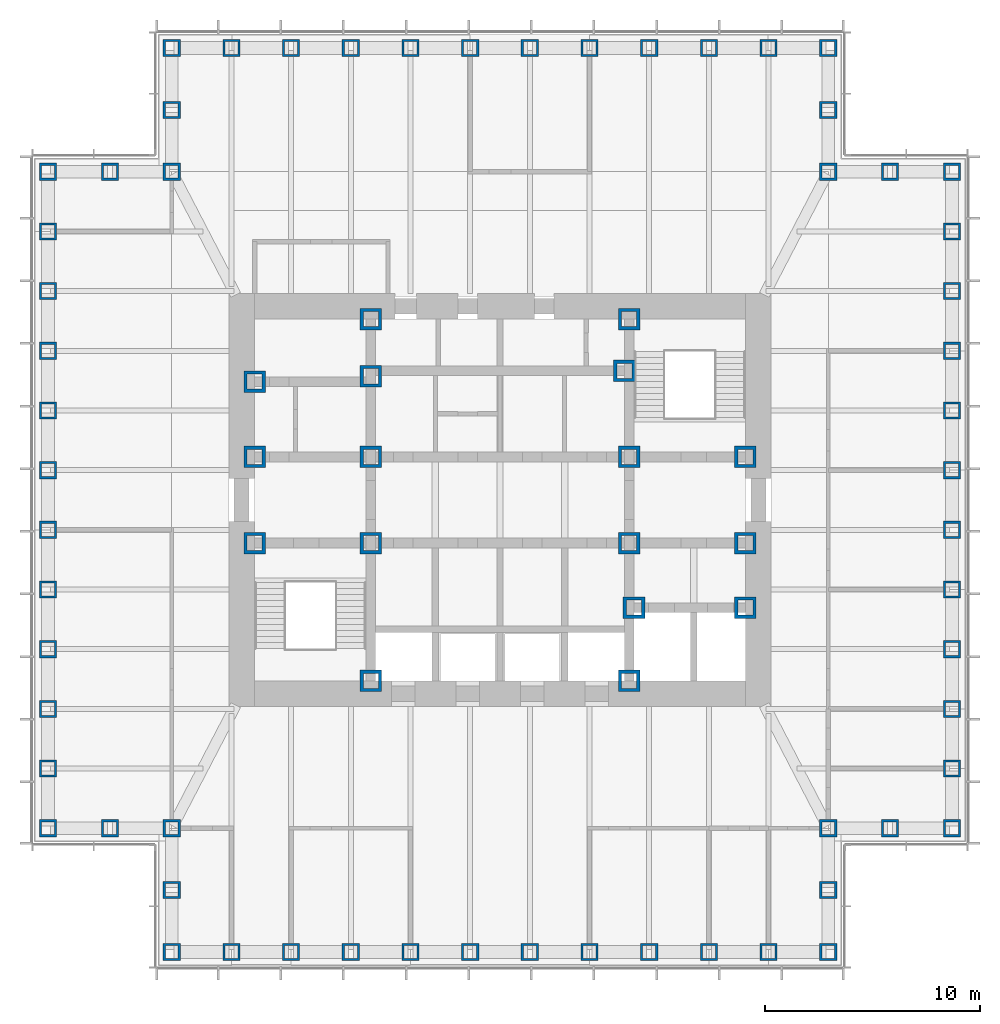
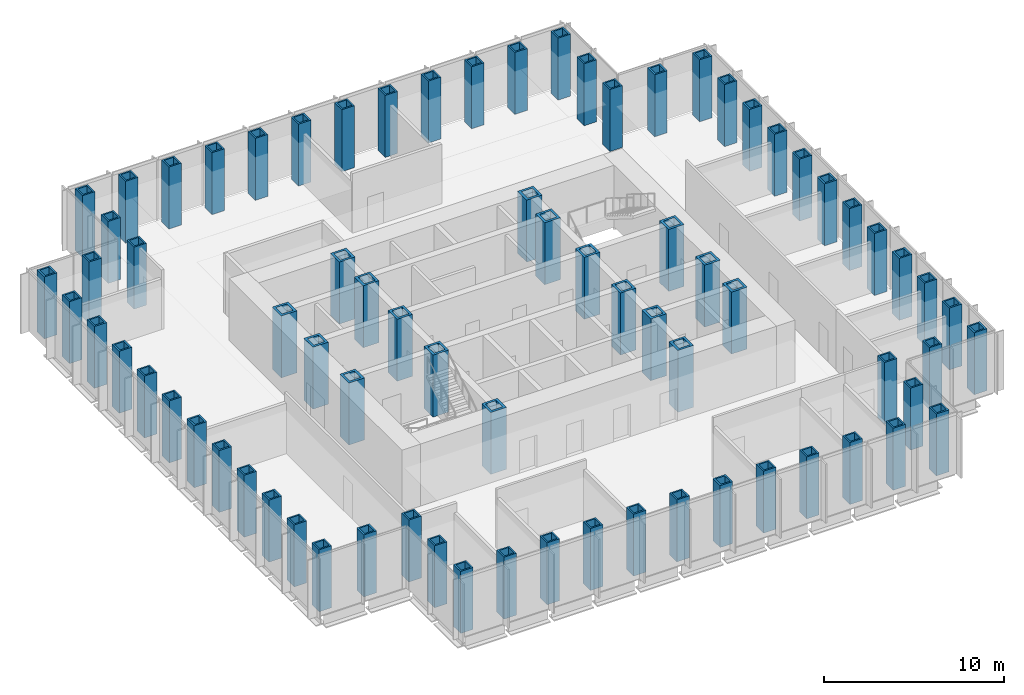
# One storey, part 1 of 16: 77 columns.
"""IFC4 building model written with IfcOpenShell, lengths in metres."""

from ifc_helpers import new_model, si_unit, direction, frame, origin, origin_2d, place, context, subcontext, project, spatial, hollow_rectangle, extrude, material, material_profile, profile_set, type_object, element, save


model = new_model("IFC4")

# Units and contexts
model_context = context("Model", 3, precision=1e-05, world=origin(), true_north=direction((0.0, 1.0)))
body_context = subcontext(model_context, "Body", "Model", "MODEL_VIEW")
ifc_project = project(units=[si_unit("LENGTHUNIT", "METRE"), si_unit("AREAUNIT", "SQUARE_METRE"), si_unit("VOLUMEUNIT", "CUBIC_METRE"), si_unit("PLANEANGLEUNIT", "RADIAN"), si_unit("MASSUNIT", "GRAM", prefix="KILO")], contexts=[model_context])

# Site, building, storey
site_placement = place(None, origin())
site = spatial("IfcSite", under=ifc_project, at=site_placement, CompositionType="ELEMENT")
building_placement = place(site_placement, origin())
building = spatial("IfcBuilding", under=site, at=building_placement, Name="Daluyong Arena Tower", CompositionType="ELEMENT")
storey_placement = place(building_placement, frame((0.0, 0.0, 271.300048828125)))
storey = spatial("IfcBuildingStorey", under=building, at=storey_placement, Name="L61", CompositionType="ELEMENT", Elevation=271.300048828125)

# Columns
ifc_material_1 = material(Name="Steel ASTM A588 Grade 50", Category="steel")
ifc_material_profile_1 = material_profile(ifc_material_1, hollow_rectangle(XDim=1.0, YDim=1.0, WallThickness=0.15, at=origin_2d()))
ifc_profile_set_1 = profile_set([ifc_material_profile_1], Name="Steel ASTM A588 Grade 50")
column_type_1 = type_object("IfcColumnType", Name="Core boundary column BX1000X150", PredefinedType="COLUMN", material=ifc_profile_set_1)
for number, where, z_axis, x_axis, name in (
    (1, (44.60009765625, 78.0, 0.0), (0.0, 0.0, 1.0), (1.0, 0.0, 0.0), "core boundary column BC1"),
    (2, (44.60009765625, 82.0, 0.0), (0.0, 0.0, 1.0), (1.0, 0.0, 0.0), "core boundary column BC1"),
    (3, (44.60009765625, 85.5, 0.0), (0.0, 0.0, 1.0), (1.0, 0.0, 0.0), "core boundary column BC1"),
    (4, (50.0, 71.60009765625, 0.0), (0.0, 0.0, 1.0), (1.0, 0.0, 0.0), "core boundary column BC1"),
    (5, (50.0, 78.0, 0.0), (0.0, 0.0, 1.0), (1.0, 0.0, 0.0), "core boundary column BC1"),
    (6, (50.0, 82.0, 0.0), (0.0, 0.0, 1.0), (1.0, 0.0, 0.0), "core boundary column BC1"),
    (7, (50.0, 85.75, 0.0), (0.0, 0.0, 1.0), (1.0, 0.0, 0.0), "core boundary column BC1"),
    (8, (50.0, 88.39990234375, 0.0), (0.0, 0.0, 1.0), (1.0, 0.0, 0.0), "core boundary column BC1"),
    (9, (61.77490234375, 86.0, 0.0), (0.0, 0.0, 1.0), (1.0, 0.0, 0.0), "core boundary column BC1"),
    (10, (62.0, 71.60009765625, 0.0), (0.0, 0.0, 1.0), (1.0, 0.0, 0.0), "core boundary column BC1"),
    (11, (62.0, 78.0, 0.0), (0.0, 0.0, 1.0), (1.0, 0.0, 0.0), "core boundary column BC1"),
    (12, (62.0, 82.0, 0.0), (0.0, 0.0, 1.0), (1.0, 0.0, 0.0), "core boundary column BC1"),
    (13, (62.0, 88.39990234375, 0.0), (0.0, 0.0, 1.0), (1.0, 0.0, 0.0), "core boundary column BC1"),
    (14, (62.22509765625, 75.0, 0.0), (0.0, 0.0, 1.0), (1.0, 0.0, 0.0), "core boundary column BC1"),
    (15, (67.39990234375, 75.0, 0.0), (0.0, 0.0, 1.0), (1.0, 0.0, 0.0), "core boundary column BC1"),
    (16, (67.39990234375, 78.0, 0.0), (0.0, 0.0, 1.0), (1.0, 0.0, 0.0), "core boundary column BC1"),
    (17, (67.39990234375, 82.0, 0.0), (0.0, 0.0, 1.0), (1.0, 0.0, 0.0), "core boundary column BC1"),
):
    element("IfcColumn", number, at=place(storey_placement, frame(where, z_axis=z_axis, x_axis=x_axis)), inside=storey, type_object=column_type_1, Name=name, PredefinedType="COLUMN", context=body_context, shape_type="SweptSolid", body=[
        extrude(hollow_rectangle(XDim=1.0, YDim=1.0, WallThickness=0.15, at=origin_2d()), origin(), (0.0, 0.0, 1.0), 4.199951171875),
    ])
ifc_material_2 = material(Name="Steel ASTM A572 Grade 50", Category="steel")
ifc_material_profile_2 = material_profile(ifc_material_2, hollow_rectangle(XDim=0.800048828125, YDim=0.800048828125, WallThickness=0.1, at=origin_2d()))
ifc_profile_set_2 = profile_set([ifc_material_profile_2], Name="Steel ASTM A572 Grade 50")
column_type_2 = type_object("IfcColumnType", Name="Tube column BX800X100 BX800X100", PredefinedType="COLUMN", material=ifc_profile_set_2)
for number, where, z_axis, x_axis, name in (
    (18, (40.75, 59.0, 0.0), (0.0, 0.0, 1.0), (1.0, 0.0, 0.0), "tube column bx800x100 TC8"),
    (19, (43.522705078125, 59.0, 0.0), (0.0, 0.0, 1.0), (1.0, 0.0, 0.0), "tube column bx800x100 TC8"),
    (20, (46.29541015625, 59.0, 0.0), (0.0, 0.0, 1.0), (1.0, 0.0, 0.0), "tube column bx800x100 TC8"),
    (21, (49.068115234375, 59.0, 0.0), (0.0, 0.0, 1.0), (1.0, 0.0, 0.0), "tube column bx800x100 TC8"),
    (22, (51.8408203125, 59.0, 0.0), (0.0, 0.0, 1.0), (1.0, 0.0, 0.0), "tube column bx800x100 TC8"),
    (23, (54.613525390625, 59.0, 0.0), (0.0, 0.0, 1.0), (1.0, 0.0, 0.0), "tube column bx800x100 TC8"),
    (24, (57.386474609375, 59.0, 0.0), (0.0, 0.0, 1.0), (1.0, 0.0, 0.0), "tube column bx800x100 TC8"),
    (25, (60.1591796875, 59.0, 0.0), (0.0, 0.0, 1.0), (1.0, 0.0, 0.0), "tube column bx800x100 TC8"),
    (26, (62.931884765625, 59.0, 0.0), (0.0, 0.0, 1.0), (1.0, 0.0, 0.0), "tube column bx800x100 TC8"),
    (27, (65.70458984375, 59.0, 0.0), (0.0, 0.0, 1.0), (1.0, 0.0, 0.0), "tube column bx800x100 TC8"),
    (28, (68.477294921875, 59.0, 0.0), (0.0, 0.0, 1.0), (1.0, 0.0, 0.0), "tube column bx800x100 TC8"),
    (29, (71.25, 59.0, 0.0), (0.0, 0.0, 1.0), (0.0, 1.0, 0.0), "tube column bx800x100 TC8"),
    (30, (71.25, 61.875, 0.0), (0.0, 0.0, 1.0), (0.0, 1.0, 0.0), "tube column bx800x100 TC8"),
    (31, (71.25, 64.75, 0.0), (0.0, 0.0, 1.0), (1.0, 0.0, 0.0), "tube column bx800x100 TC8"),
    (32, (74.125, 64.75, 0.0), (0.0, 0.0, 1.0), (1.0, 0.0, 0.0), "tube column bx800x100 TC8"),
    (33, (77.0, 64.75, 0.0), (0.0, 0.0, 1.0), (0.0, 1.0, 0.0), "tube column bx800x100 TC8"),
    (34, (77.0, 67.522705078125, 0.0), (0.0, 0.0, 1.0), (0.0, 1.0, 0.0), "tube column bx800x100 TC8"),
    (35, (77.0, 70.29541015625, 0.0), (0.0, 0.0, 1.0), (0.0, 1.0, 0.0), "tube column bx800x100 TC8"),
    (36, (77.0, 73.068115234375, 0.0), (0.0, 0.0, 1.0), (0.0, 1.0, 0.0), "tube column bx800x100 TC8"),
    (37, (77.0, 75.8408203125, 0.0), (0.0, 0.0, 1.0), (0.0, 1.0, 0.0), "tube column bx800x100 TC8"),
    (38, (77.0, 78.613525390625, 0.0), (0.0, 0.0, 1.0), (0.0, 1.0, 0.0), "tube column bx800x100 TC8"),
    (39, (77.0, 81.386474609375, 0.0), (0.0, 0.0, 1.0), (0.0, 1.0, 0.0), "tube column bx800x100 TC8"),
    (40, (77.0, 84.1591796875, 0.0), (0.0, 0.0, 1.0), (0.0, 1.0, 0.0), "tube column bx800x100 TC8"),
    (41, (77.0, 86.931884765625, 0.0), (0.0, 0.0, 1.0), (0.0, 1.0, 0.0), "tube column bx800x100 TC8"),
    (42, (77.0, 89.70458984375, 0.0), (0.0, 0.0, 1.0), (0.0, 1.0, 0.0), "tube column bx800x100 TC8"),
    (43, (77.0, 92.477294921875, 0.0), (0.0, 0.0, 1.0), (0.0, 1.0, 0.0), "tube column bx800x100 TC8"),
    (44, (77.0, 95.25, 0.0), (0.0, 0.0, 1.0), (1.0, 0.0, 0.0), "tube column bx800x100 TC8"),
    (45, (74.125, 95.25, 0.0), (0.0, 0.0, 1.0), (1.0, 0.0, 0.0), "tube column bx800x100 TC8"),
    (46, (71.25, 95.25, 0.0), (0.0, 0.0, 1.0), (0.0, 1.0, 0.0), "tube column bx800x100 TC8"),
    (47, (71.25, 98.125, 0.0), (0.0, 0.0, 1.0), (0.0, 1.0, 0.0), "tube column bx800x100 TC8"),
    (48, (71.25, 101.0, 0.0), (0.0, 0.0, 1.0), (1.0, 0.0, 0.0), "tube column bx800x100 TC8"),
    (49, (68.477294921875, 101.0, 0.0), (0.0, 0.0, 1.0), (1.0, 0.0, 0.0), "tube column bx800x100 TC8"),
    (50, (65.70458984375, 101.0, 0.0), (0.0, 0.0, 1.0), (1.0, 0.0, 0.0), "tube column bx800x100 TC8"),
    (51, (62.931884765625, 101.0, 0.0), (0.0, 0.0, 1.0), (1.0, 0.0, 0.0), "tube column bx800x100 TC8"),
    (52, (60.1591796875, 101.0, 0.0), (0.0, 0.0, 1.0), (1.0, 0.0, 0.0), "tube column bx800x100 TC8"),
    (53, (57.386474609375, 101.0, 0.0), (0.0, 0.0, 1.0), (1.0, 0.0, 0.0), "tube column bx800x100 TC8"),
    (54, (54.613525390625, 101.0, 0.0), (0.0, 0.0, 1.0), (1.0, 0.0, 0.0), "tube column bx800x100 TC8"),
    (55, (51.8408203125, 101.0, 0.0), (0.0, 0.0, 1.0), (1.0, 0.0, 0.0), "tube column bx800x100 TC8"),
    (56, (49.068115234375, 101.0, 0.0), (0.0, 0.0, 1.0), (1.0, 0.0, 0.0), "tube column bx800x100 TC8"),
    (57, (46.29541015625, 101.0, 0.0), (0.0, 0.0, 1.0), (1.0, 0.0, 0.0), "tube column bx800x100 TC8"),
    (58, (43.522705078125, 101.0, 0.0), (0.0, 0.0, 1.0), (1.0, 0.0, 0.0), "tube column bx800x100 TC8"),
    (59, (40.75, 101.0, 0.0), (0.0, 0.0, 1.0), (0.0, 1.0, 0.0), "tube column bx800x100 TC8"),
    (60, (40.75, 98.125, 0.0), (0.0, 0.0, 1.0), (0.0, 1.0, 0.0), "tube column bx800x100 TC8"),
    (61, (40.75, 95.25, 0.0), (0.0, 0.0, 1.0), (1.0, 0.0, 0.0), "tube column bx800x100 TC8"),
    (62, (37.875, 95.25, 0.0), (0.0, 0.0, 1.0), (1.0, 0.0, 0.0), "tube column bx800x100 TC8"),
    (63, (35.0, 95.25, 0.0), (0.0, 0.0, 1.0), (0.0, 1.0, 0.0), "tube column bx800x100 TC8"),
    (64, (35.0, 92.477294921875, 0.0), (0.0, 0.0, 1.0), (0.0, 1.0, 0.0), "tube column bx800x100 TC8"),
    (65, (35.0, 89.70458984375, 0.0), (0.0, 0.0, 1.0), (0.0, 1.0, 0.0), "tube column bx800x100 TC8"),
    (66, (35.0, 86.931884765625, 0.0), (0.0, 0.0, 1.0), (0.0, 1.0, 0.0), "tube column bx800x100 TC8"),
    (67, (35.0, 84.1591796875, 0.0), (0.0, 0.0, 1.0), (0.0, 1.0, 0.0), "tube column bx800x100 TC8"),
    (68, (35.0, 81.386474609375, 0.0), (0.0, 0.0, 1.0), (0.0, 1.0, 0.0), "tube column bx800x100 TC8"),
    (69, (35.0, 78.613525390625, 0.0), (0.0, 0.0, 1.0), (0.0, 1.0, 0.0), "tube column bx800x100 TC8"),
    (70, (35.0, 75.8408203125, 0.0), (0.0, 0.0, 1.0), (0.0, 1.0, 0.0), "tube column bx800x100 TC8"),
    (71, (35.0, 73.068115234375, 0.0), (0.0, 0.0, 1.0), (0.0, 1.0, 0.0), "tube column bx800x100 TC8"),
    (72, (35.0, 70.29541015625, 0.0), (0.0, 0.0, 1.0), (0.0, 1.0, 0.0), "tube column bx800x100 TC8"),
    (73, (35.0, 67.522705078125, 0.0), (0.0, 0.0, 1.0), (0.0, 1.0, 0.0), "tube column bx800x100 TC8"),
    (74, (35.0, 64.75, 0.0), (0.0, 0.0, 1.0), (1.0, 0.0, 0.0), "tube column bx800x100 TC8"),
    (75, (37.875, 64.75, 0.0), (0.0, 0.0, 1.0), (1.0, 0.0, 0.0), "tube column bx800x100 TC8"),
    (76, (40.75, 64.75, 0.0), (0.0, 0.0, 1.0), (0.0, 1.0, 0.0), "tube column bx800x100 TC8"),
    (77, (40.75, 61.875, 0.0), (0.0, 0.0, 1.0), (0.0, 1.0, 0.0), "tube column bx800x100 TC8"),
):
    element("IfcColumn", number, at=place(storey_placement, frame(where, z_axis=z_axis, x_axis=x_axis)), inside=storey, type_object=column_type_2, Name=name, PredefinedType="COLUMN", context=body_context, shape_type="SweptSolid", body=[
        extrude(hollow_rectangle(XDim=0.800048828125, YDim=0.800048828125, WallThickness=0.1, at=origin_2d()), origin(), (0.0, 0.0, 1.0), 4.199951171875),
    ])

save(model, "model.ifc")
